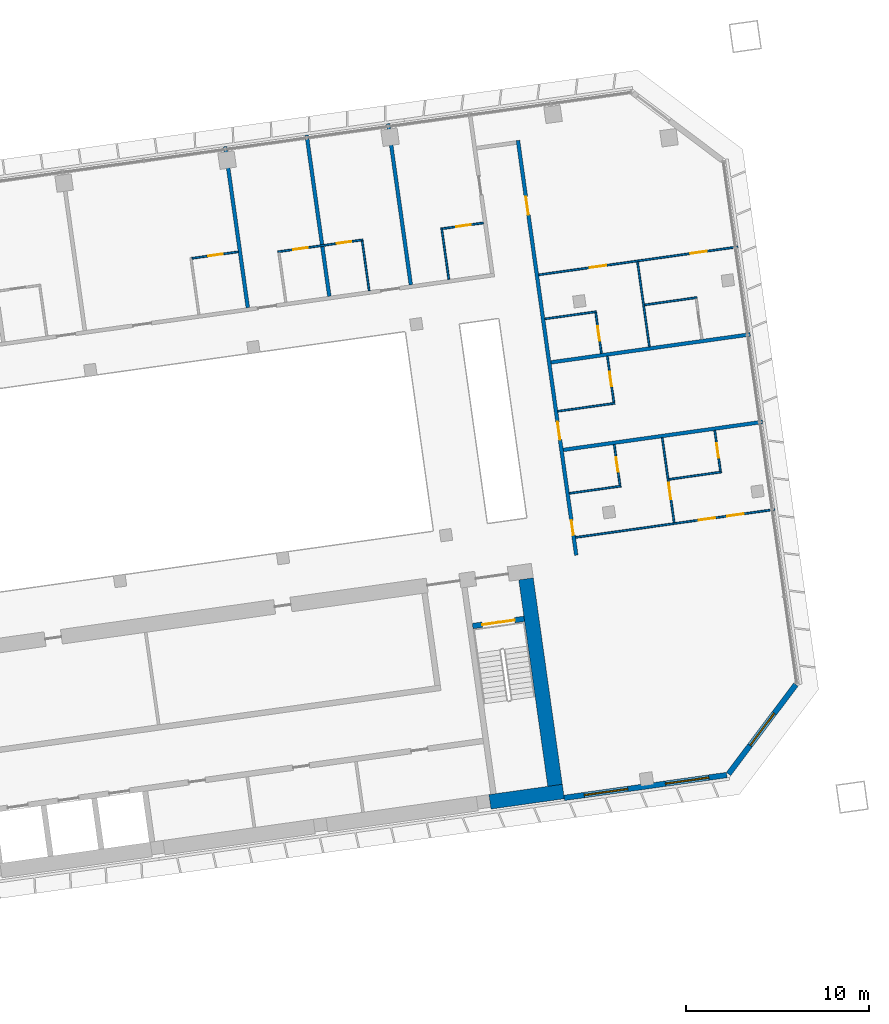
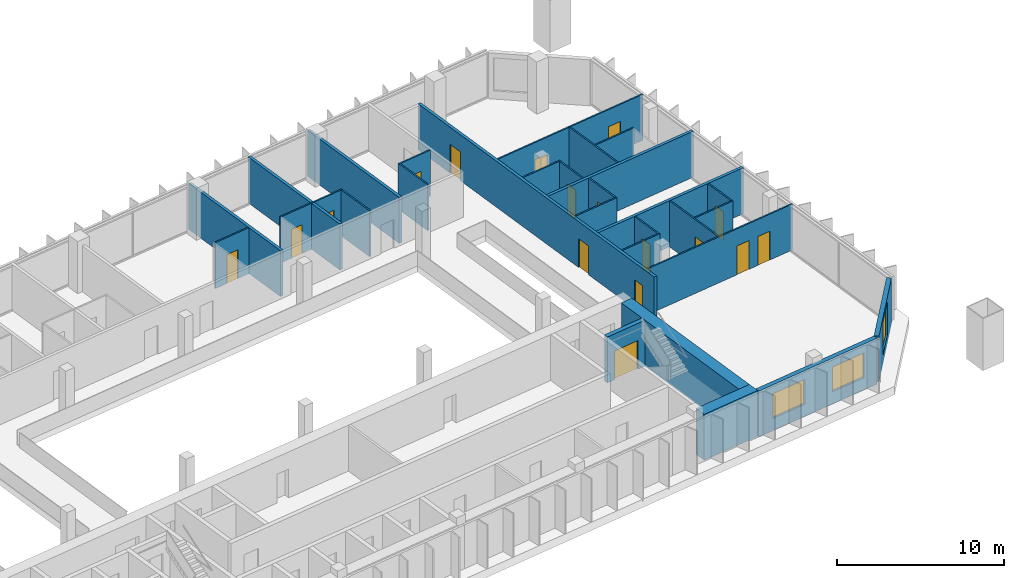
# One storey, part 21 of 26: 29 walls, 17 doors, 3 windows, 20 openings.
"""IFC4 building model written with IfcOpenShell, lengths in metres."""

from ifc_helpers import new_model, si_unit, direction, frame, frame_2d, origin, place, context, subcontext, project, spatial, rectangle, extrude, material, layer, layer_set, type_object, element, fill, save


model = new_model("IFC4")

# Units and contexts
model_context = context("Model", 3, precision=1e-05, world=origin(), true_north=direction((0.0, 1.0)))
body_context = subcontext(model_context, "Body", "Model", "MODEL_VIEW")
ifc_project = project(units=[si_unit("LENGTHUNIT", "METRE"), si_unit("AREAUNIT", "SQUARE_METRE"), si_unit("VOLUMEUNIT", "CUBIC_METRE"), si_unit("PLANEANGLEUNIT", "RADIAN"), si_unit("MASSUNIT", "GRAM", prefix="KILO")], contexts=[model_context])

# Site, building, storey
site_placement = place(None, origin())
site = spatial("IfcSite", under=ifc_project, at=site_placement, CompositionType="ELEMENT")
building_placement = place(site_placement, origin())
building = spatial("IfcBuilding", under=site, at=building_placement, Name="Mirante Cascada Hotel Towers", CompositionType="ELEMENT")
storey_placement = place(building_placement, frame((0.0, 0.0, 113.9)))
storey = spatial("IfcBuildingStorey", under=building, at=storey_placement, Name="L25", CompositionType="ELEMENT", Elevation=113.9)

# Walls
ifc_material_1 = material(Name="Fire-rated plasterboard on metal studs")
ifc_layer_1 = layer(ifc_material_1, 0.2)
ifc_layer_set_1 = layer_set([ifc_layer_1], Name="Compartment wall 200 EI 120")
wall_type_1 = type_object("IfcWallType", Name="Compartment wall 200 EI 120", PredefinedType="PARTITIONING", material=ifc_layer_set_1)
for number, where, z_axis, x_axis, name in (
    (1, (90.4064, 6.4896, 0.0), (0.0, 0.0, 1.0), (0.990268, 0.1391733, 0.0), "Wall 2-L25-06"),
    (2, (89.7337, 11.2758, 0.0), (0.0, 0.0, 1.0), (0.990268, 0.1391733, 0.0), "Wall 2-L25-10"),
):
    element("IfcWall", number, at=place(storey_placement, frame(where, z_axis=z_axis, x_axis=x_axis)), inside=storey, type_object=wall_type_1, Name=name, PredefinedType="PARTITIONING", context=body_context, shape_type="SweptSolid", body=[
        extrude(rectangle(XDim=11.0, YDim=0.2, at=frame_2d((5.5, 0.0))), origin(), (0.0, 0.0, 1.0), 3.35),
    ])
for number, where, z_axis, x_axis, name in (
    (3, (73.1564, 14.2645, 0.0), (0.0, 0.0, 1.0), (-0.1391684, 0.9902687, 0.0), "Wall 2-L25-44"),
    (4, (77.6126, 14.8908, 0.0), (0.0, 0.0, 1.0), (-0.1391684, 0.9902687, 0.0), "Wall 2-L25-46"),
):
    element("IfcWall", number, at=place(storey_placement, frame(where, z_axis=z_axis, x_axis=x_axis)), inside=storey, type_object=wall_type_1, Name=name, PredefinedType="PARTITIONING", context=body_context, shape_type="SweptSolid", body=[
        extrude(rectangle(XDim=8.9, YDim=0.2, at=frame_2d((4.45, 0.0))), origin(), (0.0, 0.0, 1.0), 3.35),
    ])
wall_1_placement = place(storey_placement, frame((82.0688, 15.5171, 0.0), z_axis=(0.0, 0.0, 1.0), x_axis=(-0.13917, 0.9902685, 0.0)))
element("IfcWall", 5, at=wall_1_placement, inside=storey, type_object=wall_type_1, Name="Wall 2-L25-48", PredefinedType="PARTITIONING", context=body_context, shape_type="SweptSolid", body=[
    extrude(rectangle(XDim=8.8999, YDim=0.2, at=frame_2d((4.45, 0.0))), origin(), (0.0, 0.0, 1.0), 3.35),
])

# Wall, openings, doors
wall_2_placement = place(storey_placement, frame((87.9275, 23.4092, 0.0), z_axis=(0.0, 0.0, 1.0), x_axis=(0.1391706, -0.9902684, 0.0)))
wall_2 = element("IfcWall", 6, at=wall_2_placement, inside=storey, type_object=wall_type_1, Name="Wall 2-L25-51", PredefinedType="PARTITIONING", context=body_context, shape_type="SweptSolid", body=[
    extrude(rectangle(XDim=22.9, YDim=0.2, at=frame_2d((11.45, 0.0))), origin(), (0.0, 0.0, 1.0), 3.35),
])
opening_1_placement = place(wall_2_placement, frame((20.9833, 0.0, 0.0)))
opening_1 = element("IfcOpeningElement", 7, at=opening_1_placement, cuts=wall_2, Name="Opening D2-L25-30", PredefinedType="OPENING", context=body_context, shape_type="SweptSolid", body=[
    extrude(rectangle(XDim=0.8, YDim=2.1, at=frame_2d((0.4, 1.05))), frame((0.0, 0.1, 0.0), z_axis=(0.0, -1.0, 0.0), x_axis=(1.0, 0.0, 0.0)), (0.0, 0.0, 1.0), 0.2),
])
opening_2_placement = place(wall_2_placement, frame((15.5334, 0.0, 0.0)))
opening_2 = element("IfcOpeningElement", 8, at=opening_2_placement, cuts=wall_2, Name="Opening D2-L25-31", PredefinedType="OPENING", context=body_context, shape_type="SweptSolid", body=[
    extrude(rectangle(XDim=1.0, YDim=2.1, at=frame_2d((0.5, 1.05))), frame((0.0, 0.1, 0.0), z_axis=(0.0, -1.0, 0.0), x_axis=(1.0, 0.0, 0.0)), (0.0, 0.0, 1.0), 0.2),
])
opening_3_placement = place(wall_2_placement, frame((3.1, 0.0, 0.0)))
opening_3 = element("IfcOpeningElement", 9, at=opening_3_placement, cuts=wall_2, Name="Opening D2-L25-32", PredefinedType="OPENING", context=body_context, shape_type="SweptSolid", body=[
    extrude(rectangle(XDim=1.0, YDim=2.1, at=frame_2d((0.5, 1.05))), frame((0.0, 0.1, 0.0), z_axis=(0.0, -1.0, 0.0), x_axis=(1.0, 0.0, 0.0)), (0.0, 0.0, 1.0), 0.2),
])
ifc_material_2 = material(Name="Fire-rated timber door leaf", Category="wood")
door_type_1 = type_object("IfcDoorType", Name="Bathroom door DG4 800x2100 EI 60", OperationType="SINGLE_SWING_LEFT", PredefinedType="DOOR", material=ifc_material_2)
door_1_placement = place(opening_1_placement, origin())
door_1 = element("IfcDoor", 10, at=door_1_placement, inside=storey, type_object=door_type_1, Name="Door D2-L25-30", OperationType="SINGLE_SWING_LEFT", OverallHeight=2.1, OverallWidth=0.8, PredefinedType="DOOR", context=body_context, shape_type="SweptSolid", body=[
    extrude(rectangle(XDim=0.8, YDim=2.1, at=frame_2d((0.4, 1.05))), frame((0.0, 0.025, 0.0), z_axis=(0.0, -1.0, 0.0), x_axis=(1.0, 0.0, 0.0)), (0.0, 0.0, 1.0), 0.05),
])
fill(opening_1, door_1)
ifc_material_3 = material(Name="Fire-rated timber door leaf", Category="wood")
door_type_2 = type_object("IfcDoorType", Name="Entrance door DG1 1000x2100 EI 60", OperationType="SINGLE_SWING_LEFT", PredefinedType="DOOR", material=ifc_material_3)
door_2_placement = place(opening_2_placement, origin())
door_2 = element("IfcDoor", 11, at=door_2_placement, inside=storey, type_object=door_type_2, Name="Door D2-L25-31", OperationType="SINGLE_SWING_LEFT", OverallHeight=2.1, OverallWidth=1.0, PredefinedType="DOOR", context=body_context, shape_type="SweptSolid", body=[
    extrude(rectangle(XDim=1.0, YDim=2.1, at=frame_2d((0.5, 1.05))), frame((0.0, 0.025, 0.0), z_axis=(0.0, -1.0, 0.0), x_axis=(1.0, 0.0, 0.0)), (0.0, 0.0, 1.0), 0.05),
])
fill(opening_2, door_2)
door_3_placement = place(opening_3_placement, origin())
door_3 = element("IfcDoor", 12, at=door_3_placement, inside=storey, type_object=door_type_2, Name="Door D2-L25-32", OperationType="SINGLE_SWING_LEFT", OverallHeight=2.1, OverallWidth=1.0, PredefinedType="DOOR", context=body_context, shape_type="SweptSolid", body=[
    extrude(rectangle(XDim=1.0, YDim=2.1, at=frame_2d((0.5, 1.05))), frame((0.0, 0.025, 0.0), z_axis=(0.0, -1.0, 0.0), x_axis=(1.0, 0.0, 0.0)), (0.0, 0.0, 1.0), 0.05),
])
fill(opening_3, door_3)

ifc_material_4 = material(Name="Plasterboard on metal studs")
ifc_layer_2 = layer(ifc_material_4, 0.1)
ifc_layer_set_2 = layer_set([ifc_layer_2], Name="Partition 100")
wall_type_2 = type_object("IfcWallType", Name="Partition 100", PredefinedType="PARTITIONING", material=ifc_layer_set_2)
wall_3_placement = place(storey_placement, frame((101.972, 3.2342, 0.0), z_axis=(0.0, 0.0, 1.0), x_axis=(-0.9902682, -0.1391721, 0.0)))
wall_3 = element("IfcWall", 13, at=wall_3_placement, inside=storey, type_object=wall_type_2, Name="Wall 2-L25-01", PredefinedType="PARTITIONING", context=body_context, shape_type="SweptSolid", body=[
    extrude(rectangle(XDim=11.0001, YDim=0.1, at=frame_2d((5.5, 0.0))), origin(), (0.0, 0.0, 1.0), 3.35),
])
opening_4_placement = place(wall_3_placement, frame((3.3, 0.0, 0.0)))
opening_4 = element("IfcOpeningElement", 14, at=opening_4_placement, cuts=wall_3, Name="Opening D2-L25-01", PredefinedType="OPENING", context=body_context, shape_type="SweptSolid", body=[
    extrude(rectangle(XDim=0.9, YDim=2.1, at=frame_2d((0.45, 1.05))), frame((0.0, 0.05, 0.0), z_axis=(0.0, -1.0, 0.0), x_axis=(1.0, 0.0, 0.0)), (0.0, 0.0, 1.0), 0.1),
])
opening_5_placement = place(wall_3_placement, frame((1.725, 0.0, 0.0)))
opening_5 = element("IfcOpeningElement", 15, at=opening_5_placement, cuts=wall_3, Name="Opening D2-L25-02", PredefinedType="OPENING", context=body_context, shape_type="SweptSolid", body=[
    extrude(rectangle(XDim=0.9, YDim=2.1, at=frame_2d((0.45, 1.05))), frame((0.0, 0.05, 0.0), z_axis=(0.0, -1.0, 0.0), x_axis=(1.0, 0.0, 0.0)), (0.0, 0.0, 1.0), 0.1),
])
ifc_material_5 = material(Name="Timber door leaf", Category="wood")
door_type_3 = type_object("IfcDoorType", Name="Room door DG3 900x2100", OperationType="SINGLE_SWING_LEFT", PredefinedType="DOOR", material=ifc_material_5)
door_4_placement = place(opening_4_placement, origin())
door_4 = element("IfcDoor", 16, at=door_4_placement, inside=storey, type_object=door_type_3, Name="Door D2-L25-01", OperationType="SINGLE_SWING_LEFT", OverallHeight=2.1, OverallWidth=0.9, PredefinedType="DOOR", context=body_context, shape_type="SweptSolid", body=[
    extrude(rectangle(XDim=0.9, YDim=2.1, at=frame_2d((0.45, 1.05))), frame((0.0, 0.025, 0.0), z_axis=(0.0, -1.0, 0.0), x_axis=(1.0, 0.0, 0.0)), (0.0, 0.0, 1.0), 0.05),
])
fill(opening_4, door_4)
door_5_placement = place(opening_5_placement, origin())
door_5 = element("IfcDoor", 17, at=door_5_placement, inside=storey, type_object=door_type_3, Name="Door D2-L25-02", OperationType="SINGLE_SWING_LEFT", OverallHeight=2.1, OverallWidth=0.9, PredefinedType="DOOR", context=body_context, shape_type="SweptSolid", body=[
    extrude(rectangle(XDim=0.9, YDim=2.1, at=frame_2d((0.45, 1.05))), frame((0.0, 0.025, 0.0), z_axis=(0.0, -1.0, 0.0), x_axis=(1.0, 0.0, 0.0)), (0.0, 0.0, 1.0), 0.05),
])
fill(opening_5, door_5)

# Walls
wall_4_placement = place(storey_placement, frame((93.5626, 4.5096, 0.0), z_axis=(0.0, 0.0, 1.0), x_axis=(-0.9902649, -0.1391957, 0.0)))
element("IfcWall", 18, at=wall_4_placement, inside=storey, type_object=wall_type_2, Name="Wall 2-L25-03", PredefinedType="PARTITIONING", context=body_context, shape_type="SweptSolid", body=[
    extrude(rectangle(XDim=2.8499, YDim=0.1, at=frame_2d((1.425, 0.0))), origin(), (0.0, 0.0, 1.0), 3.35),
])
wall_5_placement = place(storey_placement, frame((96.1868, 4.8784, 0.0), z_axis=(0.0, 0.0, 1.0), x_axis=(0.9902683, 0.1391714, 0.0)))
element("IfcWall", 19, at=wall_5_placement, inside=storey, type_object=wall_type_2, Name="Wall 2-L25-04", PredefinedType="PARTITIONING", context=body_context, shape_type="SweptSolid", body=[
    extrude(rectangle(XDim=2.9, YDim=0.1, at=frame_2d((1.45, 0.0))), origin(), (0.0, 0.0, 1.0), 3.35),
])
wall_6_placement = place(storey_placement, frame((90.1095, 8.6021, 0.0), z_axis=(0.0, 0.0, 1.0), x_axis=(0.9902676, 0.1391765, 0.0)))
element("IfcWall", 20, at=wall_6_placement, inside=storey, type_object=wall_type_2, Name="Wall 2-L25-08", PredefinedType="PARTITIONING", context=body_context, shape_type="SweptSolid", body=[
    extrude(rectangle(XDim=3.15, YDim=0.1, at=frame_2d((1.575, 0.0))), origin(), (0.0, 0.0, 1.0), 3.35),
])
wall_7_placement = place(storey_placement, frame((92.2219, 14.0491, 0.0), z_axis=(0.0, 0.0, 1.0), x_axis=(-0.9902697, -0.1391613, 0.0)))
element("IfcWall", 21, at=wall_7_placement, inside=storey, type_object=wall_type_2, Name="Wall 2-L25-13", PredefinedType="PARTITIONING", context=body_context, shape_type="SweptSolid", body=[
    extrude(rectangle(XDim=2.8499, YDim=0.1, at=frame_2d((1.425, 0.0))), origin(), (0.0, 0.0, 1.0), 3.35),
])
wall_8_placement = place(storey_placement, frame((94.8461, 14.4179, 0.0), z_axis=(0.0, 0.0, 1.0), x_axis=(0.9902683, 0.1391714, 0.0)))
element("IfcWall", 22, at=wall_8_placement, inside=storey, type_object=wall_type_2, Name="Wall 2-L25-14", PredefinedType="PARTITIONING", context=body_context, shape_type="SweptSolid", body=[
    extrude(rectangle(XDim=2.9, YDim=0.1, at=frame_2d((1.45, 0.0))), origin(), (0.0, 0.0, 1.0), 3.35),
])

# Wall, openings, doors
wall_9_placement = place(storey_placement, frame((89.061, 16.0622, 0.0), z_axis=(0.0, 0.0, 1.0), x_axis=(0.9902682, 0.1391721, 0.0)))
wall_9 = element("IfcWall", 23, at=wall_9_placement, inside=storey, type_object=wall_type_2, Name="Wall 2-L25-16", PredefinedType="PARTITIONING", context=body_context, shape_type="SweptSolid", body=[
    extrude(rectangle(XDim=11.0001, YDim=0.1, at=frame_2d((5.5, 0.0))), origin(), (0.0, 0.0, 1.0), 3.35),
])
opening_6_placement = place(wall_9_placement, frame((2.825, 0.0, 0.0)))
opening_6 = element("IfcOpeningElement", 24, at=opening_6_placement, cuts=wall_9, Name="Opening D2-L25-05", PredefinedType="OPENING", context=body_context, shape_type="SweptSolid", body=[
    extrude(rectangle(XDim=0.9, YDim=2.1, at=frame_2d((0.45, 1.05))), frame((0.0, 0.05, 0.0), z_axis=(0.0, -1.0, 0.0), x_axis=(1.0, 0.0, 0.0)), (0.0, 0.0, 1.0), 0.1),
])
opening_7_placement = place(wall_9_placement, frame((8.375, 0.0, 0.0)))
opening_7 = element("IfcOpeningElement", 25, at=opening_7_placement, cuts=wall_9, Name="Opening D2-L25-06", PredefinedType="OPENING", context=body_context, shape_type="SweptSolid", body=[
    extrude(rectangle(XDim=0.9, YDim=2.1, at=frame_2d((0.45, 1.05))), frame((0.0, 0.05, 0.0), z_axis=(0.0, -1.0, 0.0), x_axis=(1.0, 0.0, 0.0)), (0.0, 0.0, 1.0), 0.1),
])
door_6_placement = place(opening_6_placement, origin())
door_6 = element("IfcDoor", 26, at=door_6_placement, inside=storey, type_object=door_type_3, Name="Door D2-L25-05", OperationType="SINGLE_SWING_LEFT", OverallHeight=2.1, OverallWidth=0.9, PredefinedType="DOOR", context=body_context, shape_type="SweptSolid", body=[
    extrude(rectangle(XDim=0.9, YDim=2.1, at=frame_2d((0.45, 1.05))), frame((0.0, 0.025, 0.0), z_axis=(0.0, -1.0, 0.0), x_axis=(1.0, 0.0, 0.0)), (0.0, 0.0, 1.0), 0.05),
])
fill(opening_6, door_6)
door_7_placement = place(opening_7_placement, origin())
door_7 = element("IfcDoor", 27, at=door_7_placement, inside=storey, type_object=door_type_3, Name="Door D2-L25-06", OperationType="SINGLE_SWING_LEFT", OverallHeight=2.1, OverallWidth=0.9, PredefinedType="DOOR", context=body_context, shape_type="SweptSolid", body=[
    extrude(rectangle(XDim=0.9, YDim=2.1, at=frame_2d((0.45, 1.05))), frame((0.0, 0.025, 0.0), z_axis=(0.0, -1.0, 0.0), x_axis=(1.0, 0.0, 0.0)), (0.0, 0.0, 1.0), 0.05),
])
fill(opening_7, door_7)

wall_10_placement = place(storey_placement, frame((74.7968, 17.3226, 0.0), z_axis=(0.0, 0.0, 1.0), x_axis=(0.9902682, 0.139172, 0.0)))
wall_10 = element("IfcWall", 28, at=wall_10_placement, inside=storey, type_object=wall_type_2, Name="Wall 2-L25-20", PredefinedType="PARTITIONING", context=body_context, shape_type="SweptSolid", body=[
    extrude(rectangle(XDim=4.6999, YDim=0.1, at=frame_2d((2.35, 0.0))), origin(), (0.0, 0.0, 1.0), 3.35),
])
opening_8_placement = place(wall_10_placement, frame((0.85, 0.0, 0.0)))
opening_8 = element("IfcOpeningElement", 29, at=opening_8_placement, cuts=wall_10, Name="Opening D2-L25-16", PredefinedType="OPENING", context=body_context, shape_type="SweptSolid", body=[
    extrude(rectangle(XDim=0.8, YDim=2.1, at=frame_2d((0.4, 1.05))), frame((0.0, 0.05, 0.0), z_axis=(0.0, -1.0, 0.0), x_axis=(1.0, 0.0, 0.0)), (0.0, 0.0, 1.0), 0.1),
])
opening_9_placement = place(wall_10_placement, frame((3.25, 0.0, 0.0)))
opening_9 = element("IfcOpeningElement", 30, at=opening_9_placement, cuts=wall_10, Name="Opening D2-L25-17", PredefinedType="OPENING", context=body_context, shape_type="SweptSolid", body=[
    extrude(rectangle(XDim=0.8, YDim=2.1, at=frame_2d((0.4, 1.05))), frame((0.0, 0.05, 0.0), z_axis=(0.0, -1.0, 0.0), x_axis=(1.0, 0.0, 0.0)), (0.0, 0.0, 1.0), 0.1),
])
ifc_material_6 = material(Name="Timber door leaf", Category="wood")
door_type_4 = type_object("IfcDoorType", Name="Bathroom door DG4 800x2100", OperationType="SINGLE_SWING_LEFT", PredefinedType="DOOR", material=ifc_material_6)
door_8_placement = place(opening_8_placement, origin())
door_8 = element("IfcDoor", 31, at=door_8_placement, inside=storey, type_object=door_type_4, Name="Door D2-L25-16", OperationType="SINGLE_SWING_LEFT", OverallHeight=2.1, OverallWidth=0.8, PredefinedType="DOOR", context=body_context, shape_type="SweptSolid", body=[
    extrude(rectangle(XDim=0.8, YDim=2.1, at=frame_2d((0.4, 1.05))), frame((0.0, 0.025, 0.0), z_axis=(0.0, -1.0, 0.0), x_axis=(1.0, 0.0, 0.0)), (0.0, 0.0, 1.0), 0.05),
])
fill(opening_8, door_8)
door_9_placement = place(opening_9_placement, origin())
door_9 = element("IfcDoor", 32, at=door_9_placement, inside=storey, type_object=door_type_4, Name="Door D2-L25-17", OperationType="SINGLE_SWING_LEFT", OverallHeight=2.1, OverallWidth=0.8, PredefinedType="DOOR", context=body_context, shape_type="SweptSolid", body=[
    extrude(rectangle(XDim=0.8, YDim=2.1, at=frame_2d((0.4, 1.05))), frame((0.0, 0.025, 0.0), z_axis=(0.0, -1.0, 0.0), x_axis=(1.0, 0.0, 0.0)), (0.0, 0.0, 1.0), 0.05),
])
fill(opening_9, door_9)

# Wall, opening, door
wall_11_placement = place(storey_placement, frame((86.0363, 18.9022, 0.0), z_axis=(0.0, 0.0, 1.0), x_axis=(-0.9902643, -0.1391997, 0.0)))
wall_11 = element("IfcWall", 33, at=wall_11_placement, inside=storey, type_object=wall_type_2, Name="Wall 2-L25-21", PredefinedType="PARTITIONING", context=body_context, shape_type="SweptSolid", body=[
    extrude(rectangle(XDim=2.25, YDim=0.1, at=frame_2d((1.125, 0.0))), origin(), (0.0, 0.0, 1.0), 3.35),
])
opening_10_placement = place(wall_11_placement, frame((0.7, 0.0, 0.0)))
opening_10 = element("IfcOpeningElement", 34, at=opening_10_placement, cuts=wall_11, Name="Opening D2-L25-18", PredefinedType="OPENING", context=body_context, shape_type="SweptSolid", body=[
    extrude(rectangle(XDim=0.8, YDim=2.1, at=frame_2d((0.4, 1.05))), frame((0.0, 0.05, 0.0), z_axis=(0.0, -1.0, 0.0), x_axis=(1.0, 0.0, 0.0)), (0.0, 0.0, 1.0), 0.1),
])
door_10_placement = place(opening_10_placement, frame((0.8, 0.0, 0.0), z_axis=(0.0, 0.0, 1.0), x_axis=(-1.0, 0.0, 0.0)))
door_10 = element("IfcDoor", 35, at=door_10_placement, inside=storey, type_object=door_type_4, Name="Door D2-L25-18", OperationType="SINGLE_SWING_RIGHT", OverallHeight=2.1, OverallWidth=0.8, PredefinedType="DOOR", context=body_context, shape_type="SweptSolid", body=[
    extrude(rectangle(XDim=0.8, YDim=2.1, at=frame_2d((0.4, 1.05))), frame((0.0, 0.025, 0.0), z_axis=(0.0, -1.0, 0.0), x_axis=(1.0, 0.0, 0.0)), (0.0, 0.0, 1.0), 0.05),
])
fill(opening_10, door_10)

wall_12_placement = place(storey_placement, frame((72.626, 17.3204, 0.0), z_axis=(0.0, 0.0, 1.0), x_axis=(-0.9902677, -0.1391755, 0.0)))
wall_12 = element("IfcWall", 36, at=wall_12_placement, inside=storey, type_object=wall_type_2, Name="Wall 2-L25-23", PredefinedType="PARTITIONING", context=body_context, shape_type="SweptSolid", body=[
    extrude(rectangle(XDim=2.55, YDim=0.1, at=frame_2d((1.275, 0.0))), origin(), (0.0, 0.0, 1.0), 3.35),
])
opening_11_placement = place(wall_12_placement, frame((0.85, 0.0, 0.0)))
opening_11 = element("IfcOpeningElement", 37, at=opening_11_placement, cuts=wall_12, Name="Opening D2-L25-20", PredefinedType="OPENING", context=body_context, shape_type="SweptSolid", body=[
    extrude(rectangle(XDim=0.8, YDim=2.1, at=frame_2d((0.4, 1.05))), frame((0.0, 0.05, 0.0), z_axis=(0.0, -1.0, 0.0), x_axis=(1.0, 0.0, 0.0)), (0.0, 0.0, 1.0), 0.1),
])
door_11_placement = place(opening_11_placement, frame((0.8, 0.0, 0.0), z_axis=(0.0, 0.0, 1.0), x_axis=(-1.0, 0.0, 0.0)))
door_11 = element("IfcDoor", 38, at=door_11_placement, inside=storey, type_object=door_type_4, Name="Door D2-L25-20", OperationType="SINGLE_SWING_RIGHT", OverallHeight=2.1, OverallWidth=0.8, PredefinedType="DOOR", context=body_context, shape_type="SweptSolid", body=[
    extrude(rectangle(XDim=0.8, YDim=2.1, at=frame_2d((0.4, 1.05))), frame((0.0, 0.025, 0.0), z_axis=(0.0, -1.0, 0.0), x_axis=(1.0, 0.0, 0.0)), (0.0, 0.0, 1.0), 0.05),
])
fill(opening_11, door_11)

# Walls
wall_13_placement = place(storey_placement, frame((79.4085, 17.9202, 0.0), z_axis=(0.0, 0.0, 1.0), x_axis=(0.1391657, -0.9902691, 0.0)))
element("IfcWall", 39, at=wall_13_placement, inside=storey, type_object=wall_type_2, Name="Wall 2-L25-47", PredefinedType="PARTITIONING", context=body_context, shape_type="SweptSolid", body=[
    extrude(rectangle(XDim=2.75, YDim=0.1, at=frame_2d((1.375, 0.0))), origin(), (0.0, 0.0, 1.0), 3.35),
])
wall_14_placement = place(storey_placement, frame((83.7517, 18.6316, 0.0), z_axis=(0.0, 0.0, 1.0), x_axis=(0.1391909, -0.9902656, 0.0)))
element("IfcWall", 40, at=wall_14_placement, inside=storey, type_object=wall_type_2, Name="Wall 2-L25-49", PredefinedType="PARTITIONING", context=body_context, shape_type="SweptSolid", body=[
    extrude(rectangle(XDim=2.85, YDim=0.1, at=frame_2d((1.425, 0.0))), origin(), (0.0, 0.0, 1.0), 3.35),
])

# Wall, opening, door
wall_15_placement = place(storey_placement, frame((93.5062, 4.5521, 0.0), z_axis=(0.0, 0.0, 1.0), x_axis=(-0.1391997, 0.9902643, 0.0)))
wall_15 = element("IfcWall", 41, at=wall_15_placement, inside=storey, type_object=wall_type_2, Name="Wall 2-L25-52", PredefinedType="PARTITIONING", context=body_context, shape_type="SweptSolid", body=[
    extrude(rectangle(XDim=2.25, YDim=0.1, at=frame_2d((1.125, 0.0))), origin(), (0.0, 0.0, 1.0), 3.35),
])
opening_12_placement = place(wall_15_placement, frame((0.75, 0.0, 0.0)))
opening_12 = element("IfcOpeningElement", 42, at=opening_12_placement, cuts=wall_15, Name="Opening D2-L25-33", PredefinedType="OPENING", context=body_context, shape_type="SweptSolid", body=[
    extrude(rectangle(XDim=0.8, YDim=2.1, at=frame_2d((0.4, 1.05))), frame((0.0, 0.05, 0.0), z_axis=(0.0, -1.0, 0.0), x_axis=(1.0, 0.0, 0.0)), (0.0, 0.0, 1.0), 0.1),
])
door_12_placement = place(opening_12_placement, origin())
door_12 = element("IfcDoor", 43, at=door_12_placement, inside=storey, type_object=door_type_4, Name="Door D2-L25-33", OperationType="SINGLE_SWING_LEFT", OverallHeight=2.1, OverallWidth=0.8, PredefinedType="DOOR", context=body_context, shape_type="SweptSolid", body=[
    extrude(rectangle(XDim=0.8, YDim=2.1, at=frame_2d((0.4, 1.05))), frame((0.0, 0.025, 0.0), z_axis=(0.0, -1.0, 0.0), x_axis=(1.0, 0.0, 0.0)), (0.0, 0.0, 1.0), 0.05),
])
fill(opening_12, door_12)

wall_16_placement = place(storey_placement, frame((92.1794, 13.9926, 0.0), z_axis=(0.0, 0.0, 1.0), x_axis=(0.1391561, -0.9902705, 0.0)))
wall_16 = element("IfcWall", 44, at=wall_16_placement, inside=storey, type_object=wall_type_2, Name="Wall 2-L25-53", PredefinedType="PARTITIONING", context=body_context, shape_type="SweptSolid", body=[
    extrude(rectangle(XDim=2.25, YDim=0.1, at=frame_2d((1.125, 0.0))), origin(), (0.0, 0.0, 1.0), 3.35),
])
opening_13_placement = place(wall_16_placement, frame((0.75, 0.0, 0.0)))
opening_13 = element("IfcOpeningElement", 45, at=opening_13_placement, cuts=wall_16, Name="Opening D2-L25-34", PredefinedType="OPENING", context=body_context, shape_type="SweptSolid", body=[
    extrude(rectangle(XDim=0.8, YDim=2.1, at=frame_2d((0.4, 1.05))), frame((0.0, 0.05, 0.0), z_axis=(0.0, -1.0, 0.0), x_axis=(1.0, 0.0, 0.0)), (0.0, 0.0, 1.0), 0.1),
])
door_13_placement = place(opening_13_placement, frame((0.8, 0.0, 0.0), z_axis=(0.0, 0.0, 1.0), x_axis=(-1.0, 0.0, 0.0)))
door_13 = element("IfcDoor", 46, at=door_13_placement, inside=storey, type_object=door_type_4, Name="Door D2-L25-34", OperationType="SINGLE_SWING_RIGHT", OverallHeight=2.1, OverallWidth=0.8, PredefinedType="DOOR", context=body_context, shape_type="SweptSolid", body=[
    extrude(rectangle(XDim=0.8, YDim=2.1, at=frame_2d((0.4, 1.05))), frame((0.0, 0.025, 0.0), z_axis=(0.0, -1.0, 0.0), x_axis=(1.0, 0.0, 0.0)), (0.0, 0.0, 1.0), 0.05),
])
fill(opening_13, door_13)

wall_17_placement = place(storey_placement, frame((93.1723, 9.083, 0.0), z_axis=(0.0, 0.0, 1.0), x_axis=(-0.1391755, 0.9902677, 0.0)))
wall_17 = element("IfcWall", 47, at=wall_17_placement, inside=storey, type_object=wall_type_2, Name="Wall 2-L25-54", PredefinedType="PARTITIONING", context=body_context, shape_type="SweptSolid", body=[
    extrude(rectangle(XDim=2.55, YDim=0.1, at=frame_2d((1.275, 0.0))), origin(), (0.0, 0.0, 1.0), 3.35),
])
opening_14_placement = place(wall_17_placement, frame((0.9, 0.0, 0.0)))
opening_14 = element("IfcOpeningElement", 48, at=opening_14_placement, cuts=wall_17, Name="Opening D2-L25-35", PredefinedType="OPENING", context=body_context, shape_type="SweptSolid", body=[
    extrude(rectangle(XDim=0.8, YDim=2.1, at=frame_2d((0.4, 1.05))), frame((0.0, 0.05, 0.0), z_axis=(0.0, -1.0, 0.0), x_axis=(1.0, 0.0, 0.0)), (0.0, 0.0, 1.0), 0.1),
])
door_14_placement = place(opening_14_placement, frame((0.8, 0.0, 0.0), z_axis=(0.0, 0.0, 1.0), x_axis=(-1.0, 0.0, 0.0)))
door_14 = element("IfcDoor", 49, at=door_14_placement, inside=storey, type_object=door_type_4, Name="Door D2-L25-35", OperationType="SINGLE_SWING_RIGHT", OverallHeight=2.1, OverallWidth=0.8, PredefinedType="DOOR", context=body_context, shape_type="SweptSolid", body=[
    extrude(rectangle(XDim=0.8, YDim=2.1, at=frame_2d((0.4, 1.05))), frame((0.0, 0.025, 0.0), z_axis=(0.0, -1.0, 0.0), x_axis=(1.0, 0.0, 0.0)), (0.0, 0.0, 1.0), 0.05),
])
fill(opening_14, door_14)

wall_18_placement = place(storey_placement, frame((95.8172, 7.149, 0.0), z_axis=(0.0, 0.0, 1.0), x_axis=(0.139176, -0.9902677, 0.0)))
wall_18 = element("IfcWall", 50, at=wall_18_placement, inside=storey, type_object=wall_type_2, Name="Wall 2-L25-55", PredefinedType="PARTITIONING", context=body_context, shape_type="SweptSolid", body=[
    extrude(rectangle(XDim=4.6833, YDim=0.1, at=frame_2d((2.3416, 0.0))), origin(), (0.0, 0.0, 1.0), 3.35),
])
opening_15_placement = place(wall_18_placement, frame((2.4833, 0.0, 0.0)))
opening_15 = element("IfcOpeningElement", 51, at=opening_15_placement, cuts=wall_18, Name="Opening D2-L25-36", PredefinedType="OPENING", context=body_context, shape_type="SweptSolid", body=[
    extrude(rectangle(XDim=0.9, YDim=2.1, at=frame_2d((0.45, 1.05))), frame((0.0, 0.05, 0.0), z_axis=(0.0, -1.0, 0.0), x_axis=(1.0, 0.0, 0.0)), (0.0, 0.0, 1.0), 0.1),
])
door_15_placement = place(opening_15_placement, frame((0.9, 0.0, 0.0), z_axis=(0.0, 0.0, 1.0), x_axis=(-1.0, 0.0, 0.0)))
door_15 = element("IfcDoor", 52, at=door_15_placement, inside=storey, type_object=door_type_3, Name="Door D2-L25-36", OperationType="SINGLE_SWING_RIGHT", OverallHeight=2.1, OverallWidth=0.9, PredefinedType="DOOR", context=body_context, shape_type="SweptSolid", body=[
    extrude(rectangle(XDim=0.9, YDim=2.1, at=frame_2d((0.45, 1.05))), frame((0.0, 0.025, 0.0), z_axis=(0.0, -1.0, 0.0), x_axis=(1.0, 0.0, 0.0)), (0.0, 0.0, 1.0), 0.05),
])
fill(opening_15, door_15)

# Wall
wall_19_placement = place(storey_placement, frame((95.1167, 12.1333, 0.0), z_axis=(0.0, 0.0, 1.0), x_axis=(-0.1391701, 0.9902685, 0.0)))
element("IfcWall", 53, at=wall_19_placement, inside=storey, type_object=wall_type_2, Name="Wall 2-L25-56", PredefinedType="PARTITIONING", context=body_context, shape_type="SweptSolid", body=[
    extrude(rectangle(XDim=4.6835, YDim=0.1, at=frame_2d((2.3418, 0.0))), origin(), (0.0, 0.0, 1.0), 3.35),
])

# Wall, opening, door
wall_20_placement = place(storey_placement, frame((98.689, 7.5526, 0.0), z_axis=(0.0, 0.0, 1.0), x_axis=(0.1391561, -0.9902705, 0.0)))
wall_20 = element("IfcWall", 54, at=wall_20_placement, inside=storey, type_object=wall_type_2, Name="Wall 2-L25-57", PredefinedType="PARTITIONING", context=body_context, shape_type="SweptSolid", body=[
    extrude(rectangle(XDim=2.25, YDim=0.1, at=frame_2d((1.125, 0.0))), origin(), (0.0, 0.0, 1.0), 3.35),
])
opening_16_placement = place(wall_20_placement, frame((0.7, 0.0, 0.0)))
opening_16 = element("IfcOpeningElement", 55, at=opening_16_placement, cuts=wall_20, Name="Opening D2-L25-37", PredefinedType="OPENING", context=body_context, shape_type="SweptSolid", body=[
    extrude(rectangle(XDim=0.8, YDim=2.1, at=frame_2d((0.4, 1.05))), frame((0.0, 0.05, 0.0), z_axis=(0.0, -1.0, 0.0), x_axis=(1.0, 0.0, 0.0)), (0.0, 0.0, 1.0), 0.1),
])
door_16_placement = place(opening_16_placement, frame((0.8, 0.0, 0.0), z_axis=(0.0, 0.0, 1.0), x_axis=(-1.0, 0.0, 0.0)))
door_16 = element("IfcDoor", 56, at=door_16_placement, inside=storey, type_object=door_type_4, Name="Door D2-L25-37", OperationType="SINGLE_SWING_RIGHT", OverallHeight=2.1, OverallWidth=0.8, PredefinedType="DOOR", context=body_context, shape_type="SweptSolid", body=[
    extrude(rectangle(XDim=0.8, YDim=2.1, at=frame_2d((0.4, 1.05))), frame((0.0, 0.025, 0.0), z_axis=(0.0, -1.0, 0.0), x_axis=(1.0, 0.0, 0.0)), (0.0, 0.0, 1.0), 0.05),
])
fill(opening_16, door_16)

# Wall, openings, windows
ifc_material_7 = material(Name="Precast concrete C40/50", Category="concrete")
ifc_layer_3 = layer(ifc_material_7, 0.3)
ifc_layer_set_3 = layer_set([ifc_layer_3], Name="Precast concrete C40/50 cladding wall 300")
wall_type_3 = type_object("IfcWallType", Name="Precast concrete C40/50 cladding wall 300", PredefinedType="STANDARD", material=ifc_layer_set_3)
wall_21_placement = place(storey_placement, frame((90.4551, -12.5388, 0.0), z_axis=(0.0, 0.0, 1.0), x_axis=(0.9902678, 0.1391749, 0.0)))
wall_21 = element("IfcWall", 57, at=wall_21_placement, inside=storey, type_object=wall_type_3, Name="Rear cladding wall T2 L25 1", PredefinedType="STANDARD", context=body_context, shape_type="SweptSolid", body=[
    extrude(rectangle(XDim=8.9758, YDim=0.3, at=frame_2d((4.4879, 0.0))), origin(), (0.0, 0.0, 1.0), 3.35),
])
opening_17_placement = place(wall_21_placement, frame((1.1012, 0.0, 0.9)))
opening_17 = element("IfcOpeningElement", 58, at=opening_17_placement, cuts=wall_21, Name="Opening W2-25-01", PredefinedType="OPENING", context=body_context, shape_type="SweptSolid", body=[
    extrude(rectangle(XDim=2.4, YDim=1.8, at=frame_2d((1.2, 0.9))), frame((0.0, 0.15, 0.0), z_axis=(0.0, -1.0, 0.0), x_axis=(1.0, 0.0, 0.0)), (0.0, 0.0, 1.0), 0.3),
])
opening_18_placement = place(wall_21_placement, frame((5.5923, 0.0, 0.9)))
opening_18 = element("IfcOpeningElement", 59, at=opening_18_placement, cuts=wall_21, Name="Opening W2-25-02", PredefinedType="OPENING", context=body_context, shape_type="SweptSolid", body=[
    extrude(rectangle(XDim=2.4, YDim=1.8, at=frame_2d((1.2, 0.9))), frame((0.0, 0.15, 0.0), z_axis=(0.0, -1.0, 0.0), x_axis=(1.0, 0.0, 0.0)), (0.0, 0.0, 1.0), 0.3),
])
ifc_material_8 = material(Name="Aluminium frame with clear double glazing", Category="aluminium")
window_type_1 = type_object("IfcWindowType", Name="Punched window 2400x1800", PartitioningType="DOUBLE_PANEL_VERTICAL", PredefinedType="WINDOW", material=ifc_material_8)
window_1_placement = place(opening_17_placement, origin())
window_1 = element("IfcWindow", 60, at=window_1_placement, inside=storey, type_object=window_type_1, Name="Window W2-25-01", OverallHeight=1.8, OverallWidth=2.4, PartitioningType="SINGLE_PANEL", PredefinedType="WINDOW", context=body_context, shape_type="SweptSolid", body=[
    extrude(rectangle(XDim=2.4, YDim=1.8, at=frame_2d((1.2, 0.9))), frame((0.0, 0.03, 0.0), z_axis=(0.0, -1.0, 0.0), x_axis=(1.0, 0.0, 0.0)), (0.0, 0.0, 1.0), 0.06),
])
fill(opening_17, window_1)
window_2_placement = place(opening_18_placement, origin())
window_2 = element("IfcWindow", 61, at=window_2_placement, inside=storey, type_object=window_type_1, Name="Window W2-25-02", OverallHeight=1.8, OverallWidth=2.4, PartitioningType="SINGLE_PANEL", PredefinedType="WINDOW", context=body_context, shape_type="SweptSolid", body=[
    extrude(rectangle(XDim=2.4, YDim=1.8, at=frame_2d((1.2, 0.9))), frame((0.0, 0.03, 0.0), z_axis=(0.0, -1.0, 0.0), x_axis=(1.0, 0.0, 0.0)), (0.0, 0.0, 1.0), 0.06),
])
fill(opening_18, window_2)

# Wall, opening, window
wall_22_placement = place(storey_placement, frame((99.4424, -11.2313, 0.0), z_axis=(0.0, 0.0, 1.0), x_axis=(0.6018194, 0.7986322, 0.0)))
wall_22 = element("IfcWall", 62, at=wall_22_placement, inside=storey, type_object=wall_type_3, Name="Corner cladding wall T2 L25 rear outer", PredefinedType="STANDARD", context=body_context, shape_type="SweptSolid", body=[
    extrude(rectangle(XDim=6.1155, YDim=0.3, at=frame_2d((3.0578, 0.0))), origin(), (0.0, 0.0, 1.0), 3.35),
])
opening_19_placement = place(wall_22_placement, frame((1.9576, 0.0, 0.6)))
opening_19 = element("IfcOpeningElement", 63, at=opening_19_placement, cuts=wall_22, Name="Opening W2-25-03", PredefinedType="OPENING", context=body_context, shape_type="SweptSolid", body=[
    extrude(rectangle(XDim=2.2, YDim=2.4, at=frame_2d((1.1, 1.2))), frame((0.0, 0.15, 0.0), z_axis=(0.0, -1.0, 0.0), x_axis=(1.0, 0.0, 0.0)), (0.0, 0.0, 1.0), 0.3),
])
ifc_material_9 = material(Name="Aluminium frame with clear double glazing", Category="aluminium")
window_type_2 = type_object("IfcWindowType", Name="Corner suite window 2200x2400", PartitioningType="DOUBLE_PANEL_VERTICAL", PredefinedType="WINDOW", material=ifc_material_9)
window_3_placement = place(opening_19_placement, origin())
window_3 = element("IfcWindow", 64, at=window_3_placement, inside=storey, type_object=window_type_2, Name="Window W2-25-03", OverallHeight=2.4, OverallWidth=2.2, PartitioningType="SINGLE_PANEL", PredefinedType="WINDOW", context=body_context, shape_type="SweptSolid", body=[
    extrude(rectangle(XDim=2.2, YDim=2.4, at=frame_2d((1.1, 1.2))), frame((0.0, 0.03, 0.0), z_axis=(0.0, -1.0, 0.0), x_axis=(1.0, 0.0, 0.0)), (0.0, 0.0, 1.0), 0.06),
])
fill(opening_19, window_3)

# Wall, opening, door
ifc_material_10 = material(Name="Concrete C50/60", Category="concrete")
ifc_layer_4 = layer(ifc_material_10, 0.3)
ifc_layer_set_4 = layer_set([ifc_layer_4], Name="RC core wall 300 C50/60")
wall_type_4 = type_object("IfcWallType", Name="RC core wall 300 C50/60", PredefinedType="SHEAR", material=ifc_layer_set_4)
wall_23_placement = place(storey_placement, frame((85.4489, -3.1441, 0.0), z_axis=(0.0, 0.0, 1.0), x_axis=(0.9902697, 0.1391613, 0.0)))
wall_23 = element("IfcWall", 65, at=wall_23_placement, inside=storey, type_object=wall_type_4, Name="Core wall T2:L25:11", PredefinedType="SHEAR", context=body_context, shape_type="SweptSolid", body=[
    extrude(rectangle(XDim=2.8499, YDim=0.3, at=frame_2d((1.425, 0.0))), origin(), (0.0, 0.0, 1.0), 3.35),
])
opening_20_placement = place(wall_23_placement, frame((0.525, 0.0, 0.0)))
opening_20 = element("IfcOpeningElement", 66, at=opening_20_placement, cuts=wall_23, Name="Opening D2-25-C17", PredefinedType="OPENING", context=body_context, shape_type="SweptSolid", body=[
    extrude(rectangle(XDim=1.8, YDim=2.1, at=frame_2d((0.9, 1.05))), frame((0.0, 0.15, 0.0), z_axis=(0.0, -1.0, 0.0), x_axis=(1.0, 0.0, 0.0)), (0.0, 0.0, 1.0), 0.3),
])
ifc_material_11 = material(Name="Hollow metal fire door leaf")
door_type_5 = type_object("IfcDoorType", Name="Double fire door 1800x2100 FD60", OperationType="DOUBLE_DOOR_SINGLE_SWING", PredefinedType="DOOR", material=ifc_material_11)
door_17_placement = place(opening_20_placement, frame((1.8, 0.0, 0.0), z_axis=(0.0, 0.0, 1.0), x_axis=(-1.0, 0.0, 0.0)))
door_17 = element("IfcDoor", 67, at=door_17_placement, inside=storey, type_object=door_type_5, Name="Stair door T2 L25 17", OperationType="DOUBLE_DOOR_SINGLE_SWING", OverallHeight=2.1, OverallWidth=1.8, PredefinedType="DOOR", context=body_context, shape_type="SweptSolid", body=[
    extrude(rectangle(XDim=0.895, YDim=2.1, at=frame_2d((0.4475, 1.05))), frame((0.0, 0.025, 0.0), z_axis=(0.0, -1.0, 0.0), x_axis=(1.0, 0.0, 0.0)), (0.0, 0.0, 1.0), 0.05),
    extrude(rectangle(XDim=0.895, YDim=2.1, at=frame_2d((1.3525, 1.05))), frame((0.0, 0.025, 0.0), z_axis=(0.0, -1.0, 0.0), x_axis=(1.0, 0.0, 0.0)), (0.0, 0.0, 1.0), 0.05),
])
fill(opening_20, door_17)

# Walls
ifc_material_12 = material(Name="Concrete C50/60", Category="concrete")
ifc_layer_5 = layer(ifc_material_12, 0.8)
ifc_layer_set_5 = layer_set([ifc_layer_5], Name="RC core wall 800 C50/60")
wall_type_5 = type_object("IfcWallType", Name="RC core wall 800 C50/60", PredefinedType="SHEAR", material=ifc_layer_set_5)
wall_24_placement = place(storey_placement, frame((86.3958, -12.7559, 0.0), z_axis=(0.0, 0.0, 1.0), x_axis=(0.9902665, 0.1391845, 0.0)))
element("IfcWall", 68, at=wall_24_placement, inside=storey, type_object=wall_type_5, Name="Core wall T2:L25:1.7", PredefinedType="SHEAR", context=body_context, shape_type="SweptSolid", body=[
    extrude(rectangle(XDim=4.05, YDim=0.8, at=frame_2d((2.025, 0.0))), origin(), (0.0, 0.0, 1.0), 3.35),
])
wall_25_placement = place(storey_placement, frame((89.9546, -11.8518, 0.0), z_axis=(0.0, 0.0, 1.0), x_axis=(-0.1391761, 0.9902677, 0.0)))
element("IfcWall", 69, at=wall_25_placement, inside=storey, type_object=wall_type_5, Name="Core wall T2:L25:4", PredefinedType="SHEAR", context=body_context, shape_type="SweptSolid", body=[
    extrude(rectangle(XDim=11.3999, YDim=0.8, at=frame_2d((5.7, 0.0))), origin(), (0.0, 0.0, 1.0), 3.35),
])

save(model, "model.ifc")
